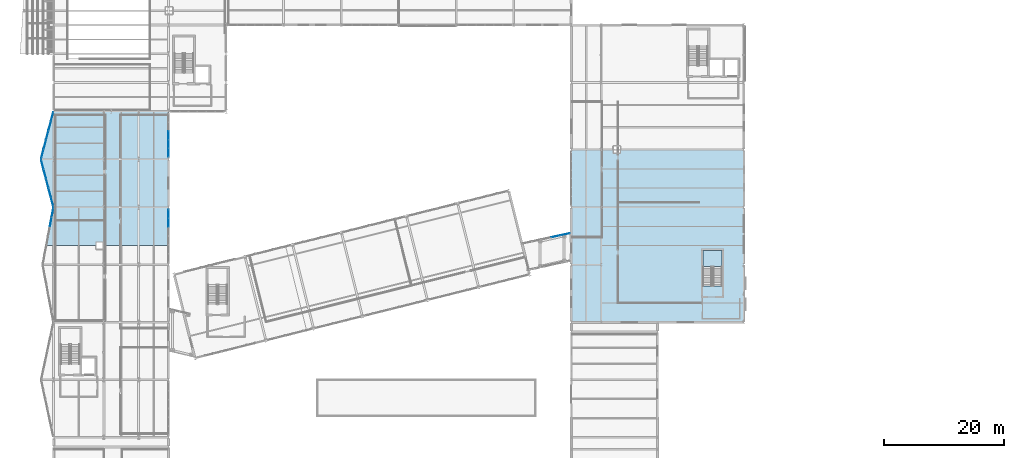
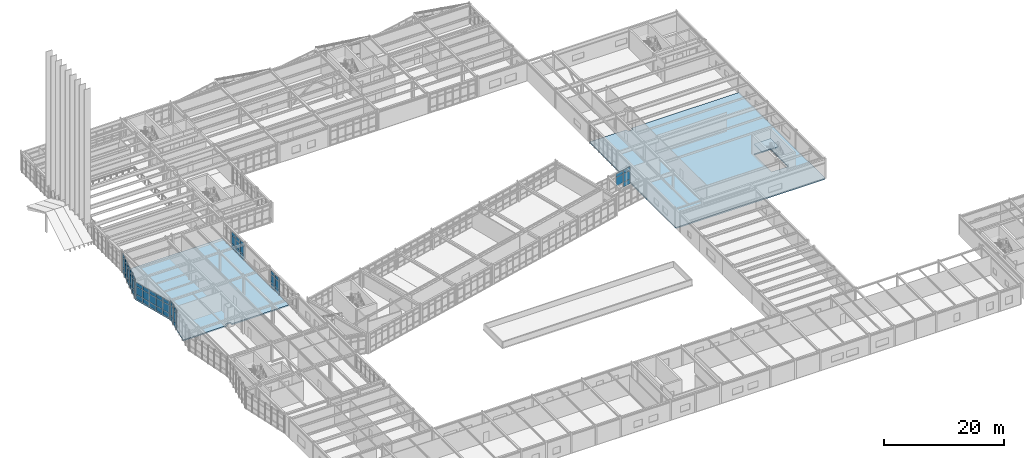
# One storey, part 64 of 99: 56 plates, 3 slabs, 7 elements without a shape of their own.
"""IFC4 building model written with IfcOpenShell, lengths in metres."""

from ifc_helpers import new_model, si_unit, direction, frame, origin, origin_2d, place, context, subcontext, project, spatial, polyline, rectangle, outline, extrude, material, layer, layer_set, type_object, element, aggregate, save


model = new_model("IFC4")

# Units and contexts
model_context = context("Model", 3, precision=1e-05, world=origin(), true_north=direction((0.0, 1.0)))
body_context = subcontext(model_context, "Body", "Model", "MODEL_VIEW")
ifc_project = project(units=[si_unit("LENGTHUNIT", "METRE"), si_unit("AREAUNIT", "SQUARE_METRE"), si_unit("VOLUMEUNIT", "CUBIC_METRE"), si_unit("PLANEANGLEUNIT", "RADIAN"), si_unit("MASSUNIT", "GRAM", prefix="KILO")], contexts=[model_context])

# Site, building, storey
site_placement = place(None, origin())
site = spatial("IfcSite", under=ifc_project, at=site_placement, CompositionType="ELEMENT")
building_placement = place(site_placement, origin())
building = spatial("IfcBuilding", under=site, at=building_placement, Name="Nordkorset Police Headquarters", CompositionType="ELEMENT")
storey_placement = place(building_placement, frame((0.0, 0.0, 5.25)))
storey = spatial("IfcBuildingStorey", under=building, at=storey_placement, Name="L01", CompositionType="ELEMENT", Elevation=5.25)

# Curtain wall, plates
ifc_material_1 = material(Name="Aluminium alloy AW-6060", Category="aluminium")
ifc_layer_1 = layer(ifc_material_1, 0.179931640625, Name="Aluminium alloy AW-6060")
ifc_layer_set_1 = layer_set([ifc_layer_1], Name="Aluminium alloy AW-6060")
curtain_wall_type_1 = type_object("IfcCurtainWallType", Name="CW_Unit_949x392", PredefinedType="USERDEFINED", material=ifc_layer_set_1)
curtain_wall_1_placement = place(storey_placement, origin())
curtain_wall_1 = element("IfcCurtainWall", 1, at=curtain_wall_1_placement, inside=storey, type_object=curtain_wall_type_1, Name="Unitised Curtain Wall L01 V3W-3", ObjectType="UNITISED CURTAIN WALL", PredefinedType="USERDEFINED")
ifc_material_2 = material(Name="Low-iron triple glazing", Category="glass")
ifc_layer_2 = layer(ifc_material_2, 0.035888671875, Name="Low-iron triple glazing")
ifc_layer_set_2 = layer_set([ifc_layer_2], Name="Low-iron triple glazing")
plate_type = type_object("IfcPlateType", Name="CW_Panel_TripleGlazing_36", PredefinedType="CURTAIN_PANEL", material=ifc_layer_set_2)
plate_1_placement = place(storey_placement, frame((-0.462890625, 64.731201171875, 0.06494140625), z_axis=(0.0, 0.0, 1.0), x_axis=(0.184288535048, 0.982872186935, 0.0)))
plate_1 = element("IfcPlate", 2, at=plate_1_placement, type_object=plate_type, Name="CW-49 panel 5.1", PredefinedType="CURTAIN_PANEL", context=body_context, shape_type="SweptSolid", body=[
    extrude(rectangle(XDim=1.51611328125, YDim=0.035888671875, at=origin_2d()), origin(), (0.0, 0.0, 1.0), 0.902587890625),
])
plate_2_placement = place(storey_placement, frame((-0.462890625, 64.731201171875, 1.032470703125), z_axis=(0.0, 0.0, 1.0), x_axis=(0.184288535048, 0.982872186935, 0.0)))
plate_2 = element("IfcPlate", 3, at=plate_2_placement, type_object=plate_type, Name="CW-49 panel 5.2", PredefinedType="CURTAIN_PANEL", context=body_context, shape_type="SweptSolid", body=[
    extrude(rectangle(XDim=1.51611328125, YDim=0.035888671875, at=origin_2d()), origin(), (0.0, 0.0, 1.0), 2.0048828125),
])
plate_3_placement = place(storey_placement, frame((-0.462890625, 64.731201171875, 3.1025390625), z_axis=(0.0, 0.0, 1.0), x_axis=(0.184288535048, 0.982872186935, 0.0)))
plate_3 = element("IfcPlate", 4, at=plate_3_placement, type_object=plate_type, Name="CW-49 panel 5.3", PredefinedType="CURTAIN_PANEL", context=body_context, shape_type="SweptSolid", body=[
    extrude(rectangle(XDim=1.51611328125, YDim=0.035888671875, at=origin_2d()), origin(), (0.0, 0.0, 1.0), 0.75244140625),
])
plate_4_placement = place(storey_placement, frame((-0.174560546875, 66.269287109375, 0.06494140625), z_axis=(0.0, 0.0, 1.0), x_axis=(0.184288535048, 0.982872186935, 0.0)))
plate_4 = element("IfcPlate", 5, at=plate_4_placement, type_object=plate_type, Name="CW-49 panel 6.1", PredefinedType="CURTAIN_PANEL", context=body_context, shape_type="SweptSolid", body=[
    extrude(rectangle(XDim=1.483642578125, YDim=0.035888671875, at=origin_2d()), origin(), (0.0, 0.0, 1.0), 0.902587890625),
])
plate_5_placement = place(storey_placement, frame((-0.174560546875, 66.269287109375, 1.032470703125), z_axis=(0.0, 0.0, 1.0), x_axis=(0.184288535048, 0.982872186935, 0.0)))
plate_5 = element("IfcPlate", 6, at=plate_5_placement, type_object=plate_type, Name="CW-49 panel 6.2", PredefinedType="CURTAIN_PANEL", context=body_context, shape_type="SweptSolid", body=[
    extrude(rectangle(XDim=1.483642578125, YDim=0.035888671875, at=origin_2d()), origin(), (0.0, 0.0, 1.0), 2.0048828125),
])
plate_6_placement = place(storey_placement, frame((-0.174560546875, 66.269287109375, 3.1025390625), z_axis=(0.0, 0.0, 1.0), x_axis=(0.184288535048, 0.982872186935, 0.0)))
plate_6 = element("IfcPlate", 7, at=plate_6_placement, type_object=plate_type, Name="CW-49 panel 6.3", PredefinedType="CURTAIN_PANEL", context=body_context, shape_type="SweptSolid", body=[
    extrude(rectangle(XDim=1.483642578125, YDim=0.035888671875, at=origin_2d()), origin(), (0.0, 0.0, 1.0), 0.75244140625),
])
aggregate(curtain_wall_1, [plate_1, plate_2, plate_3, plate_4, plate_5, plate_6])

ifc_material_3 = material(Name="Aluminium alloy AW-6060", Category="aluminium")
ifc_layer_3 = layer(ifc_material_3, 0.179931640625, Name="Aluminium alloy AW-6060")
ifc_layer_set_3 = layer_set([ifc_layer_3], Name="Aluminium alloy AW-6060")
curtain_wall_type_2 = type_object("IfcCurtainWallType", Name="CW_Unit_888x350", PredefinedType="USERDEFINED", material=ifc_layer_set_3)
curtain_wall_2_placement = place(storey_placement, origin())
curtain_wall_2 = element("IfcCurtainWall", 8, at=curtain_wall_2_placement, inside=storey, type_object=curtain_wall_type_2, Name="Unitised Curtain Wall L01 V3E-3", ObjectType="UNITISED CURTAIN WALL", PredefinedType="USERDEFINED")
plate_7_placement = place(storey_placement, frame((19.199951171875, 64.6201171875, 0.06494140625), z_axis=(0.0, 0.0, 1.0), x_axis=(0.0, 1.0, 0.0)))
plate_7 = element("IfcPlate", 9, at=plate_7_placement, type_object=plate_type, Name="CW-95 panel 5.1", PredefinedType="CURTAIN_PANEL", context=body_context, shape_type="SweptSolid", body=[
    extrude(rectangle(XDim=1.4150390625, YDim=0.035888671875, at=origin_2d()), origin(), (0.0, 0.0, 1.0), 0.902587890625),
])
plate_8_placement = place(storey_placement, frame((19.199951171875, 64.6201171875, 1.032470703125), z_axis=(0.0, 0.0, 1.0), x_axis=(0.0, 1.0, 0.0)))
plate_8 = element("IfcPlate", 10, at=plate_8_placement, type_object=plate_type, Name="CW-95 panel 5.2", PredefinedType="CURTAIN_PANEL", context=body_context, shape_type="SweptSolid", body=[
    extrude(rectangle(XDim=1.4150390625, YDim=0.035888671875, at=origin_2d()), origin(), (0.0, 0.0, 1.0), 1.5849609375),
])
plate_9_placement = place(storey_placement, frame((19.199951171875, 64.6201171875, 2.6826171875), z_axis=(0.0, 0.0, 1.0), x_axis=(0.0, 1.0, 0.0)))
plate_9 = element("IfcPlate", 11, at=plate_9_placement, type_object=plate_type, Name="CW-95 panel 5.3", PredefinedType="CURTAIN_PANEL", context=body_context, shape_type="SweptSolid", body=[
    extrude(rectangle(XDim=1.4150390625, YDim=0.035888671875, at=origin_2d()), origin(), (0.0, 0.0, 1.0), 0.75244140625),
])
plate_10_placement = place(storey_placement, frame((19.199951171875, 66.083740234375, 0.06494140625), z_axis=(0.0, 0.0, 1.0), x_axis=(0.0, 1.0, 0.0)))
plate_10 = element("IfcPlate", 12, at=plate_10_placement, type_object=plate_type, Name="CW-95 panel 6.1", PredefinedType="CURTAIN_PANEL", context=body_context, shape_type="SweptSolid", body=[
    extrude(rectangle(XDim=1.382568359375, YDim=0.035888671875, at=origin_2d()), origin(), (0.0, 0.0, 1.0), 0.902587890625),
])
plate_11_placement = place(storey_placement, frame((19.199951171875, 66.083740234375, 1.032470703125), z_axis=(0.0, 0.0, 1.0), x_axis=(0.0, 1.0, 0.0)))
plate_11 = element("IfcPlate", 13, at=plate_11_placement, type_object=plate_type, Name="CW-95 panel 6.2", PredefinedType="CURTAIN_PANEL", context=body_context, shape_type="SweptSolid", body=[
    extrude(rectangle(XDim=1.382568359375, YDim=0.035888671875, at=origin_2d()), origin(), (0.0, 0.0, 1.0), 1.5849609375),
])
plate_12_placement = place(storey_placement, frame((19.199951171875, 66.083740234375, 2.6826171875), z_axis=(0.0, 0.0, 1.0), x_axis=(0.0, 1.0, 0.0)))
plate_12 = element("IfcPlate", 14, at=plate_12_placement, type_object=plate_type, Name="CW-95 panel 6.3", PredefinedType="CURTAIN_PANEL", context=body_context, shape_type="SweptSolid", body=[
    extrude(rectangle(XDim=1.382568359375, YDim=0.035888671875, at=origin_2d()), origin(), (0.0, 0.0, 1.0), 0.75244140625),
])
aggregate(curtain_wall_2, [plate_7, plate_8, plate_9, plate_10, plate_11, plate_12])

ifc_material_4 = material(Name="Aluminium alloy AW-6060", Category="aluminium")
ifc_layer_4 = layer(ifc_material_4, 0.179931640625, Name="Aluminium alloy AW-6060")
ifc_layer_set_4 = layer_set([ifc_layer_4], Name="Aluminium alloy AW-6060")
curtain_wall_type_3 = type_object("IfcCurtainWallType", Name="CW_Unit_799x350", PredefinedType="USERDEFINED", material=ifc_layer_set_4)
curtain_wall_3_placement = place(storey_placement, origin())
curtain_wall_3 = element("IfcCurtainWall", 15, at=curtain_wall_3_placement, inside=storey, type_object=curtain_wall_type_3, Name="Unitised Curtain Wall L01 V3W-4", ObjectType="UNITISED CURTAIN WALL", PredefinedType="USERDEFINED")
plate_13_placement = place(storey_placement, frame((-0.24267578125, 68.1240234375, 0.06494140625), z_axis=(0.0, 0.0, 1.0), x_axis=(-0.25389698695, 0.967231265013, 0.0)))
plate_13 = element("IfcPlate", 16, at=plate_13_placement, type_object=plate_type, Name="CW-107 panel 1.1", PredefinedType="CURTAIN_PANEL", context=body_context, shape_type="SweptSolid", body=[
    extrude(rectangle(XDim=1.500732421875, YDim=0.035888671875, at=origin_2d()), origin(), (0.0, 0.0, 1.0), 0.902587890625),
])
plate_14_placement = place(storey_placement, frame((-0.24267578125, 68.1240234375, 1.032470703125), z_axis=(0.0, 0.0, 1.0), x_axis=(-0.25389698695, 0.967231265013, 0.0)))
plate_14 = element("IfcPlate", 17, at=plate_14_placement, type_object=plate_type, Name="CW-107 panel 1.2", PredefinedType="CURTAIN_PANEL", context=body_context, shape_type="SweptSolid", body=[
    extrude(rectangle(XDim=1.500732421875, YDim=0.035888671875, at=origin_2d()), origin(), (0.0, 0.0, 1.0), 1.5849609375),
])
plate_15_placement = place(storey_placement, frame((-0.24267578125, 68.1240234375, 2.6826171875), z_axis=(0.0, 0.0, 1.0), x_axis=(-0.25389698695, 0.967231265013, 0.0)))
plate_15 = element("IfcPlate", 18, at=plate_15_placement, type_object=plate_type, Name="CW-107 panel 1.3", PredefinedType="CURTAIN_PANEL", context=body_context, shape_type="SweptSolid", body=[
    extrude(rectangle(XDim=1.500732421875, YDim=0.035888671875, at=origin_2d()), origin(), (0.0, 0.0, 1.0), 0.75244140625),
])
plate_16_placement = place(storey_placement, frame((-0.644287109375, 69.654052734375, 0.06494140625), z_axis=(0.0, 0.0, 1.0), x_axis=(-0.25389698695, 0.967231265013, 0.0)))
plate_16 = element("IfcPlate", 19, at=plate_16_placement, type_object=plate_type, Name="CW-107 panel 2.1", PredefinedType="CURTAIN_PANEL", context=body_context, shape_type="SweptSolid", body=[
    extrude(rectangle(XDim=1.533203125, YDim=0.035888671875, at=origin_2d()), origin(), (0.0, 0.0, 1.0), 0.902587890625),
])
plate_17_placement = place(storey_placement, frame((-0.644287109375, 69.654052734375, 1.032470703125), z_axis=(0.0, 0.0, 1.0), x_axis=(-0.25389698695, 0.967231265013, 0.0)))
plate_17 = element("IfcPlate", 20, at=plate_17_placement, type_object=plate_type, Name="CW-107 panel 2.2", PredefinedType="CURTAIN_PANEL", context=body_context, shape_type="SweptSolid", body=[
    extrude(rectangle(XDim=1.533203125, YDim=0.035888671875, at=origin_2d()), origin(), (0.0, 0.0, 1.0), 1.5849609375),
])
plate_18_placement = place(storey_placement, frame((-0.644287109375, 69.654052734375, 2.6826171875), z_axis=(0.0, 0.0, 1.0), x_axis=(-0.25389698695, 0.967231265013, 0.0)))
plate_18 = element("IfcPlate", 21, at=plate_18_placement, type_object=plate_type, Name="CW-107 panel 2.3", PredefinedType="CURTAIN_PANEL", context=body_context, shape_type="SweptSolid", body=[
    extrude(rectangle(XDim=1.533203125, YDim=0.035888671875, at=origin_2d()), origin(), (0.0, 0.0, 1.0), 0.75244140625),
])
plate_19_placement = place(storey_placement, frame((-1.050048828125, 71.199951171875, 0.06494140625), z_axis=(0.0, 0.0, 1.0), x_axis=(-0.25389698695, 0.967231265013, 0.0)))
plate_19 = element("IfcPlate", 22, at=plate_19_placement, type_object=plate_type, Name="CW-107 panel 3.1", PredefinedType="CURTAIN_PANEL", context=body_context, shape_type="SweptSolid", body=[
    extrude(rectangle(XDim=1.533203125, YDim=0.035888671875, at=origin_2d()), origin(), (0.0, 0.0, 1.0), 0.902587890625),
])
plate_20_placement = place(storey_placement, frame((-1.050048828125, 71.199951171875, 1.032470703125), z_axis=(0.0, 0.0, 1.0), x_axis=(-0.25389698695, 0.967231265013, 0.0)))
plate_20 = element("IfcPlate", 23, at=plate_20_placement, type_object=plate_type, Name="CW-107 panel 3.2", PredefinedType="CURTAIN_PANEL", context=body_context, shape_type="SweptSolid", body=[
    extrude(rectangle(XDim=1.533203125, YDim=0.035888671875, at=origin_2d()), origin(), (0.0, 0.0, 1.0), 1.5849609375),
])
plate_21_placement = place(storey_placement, frame((-1.050048828125, 71.199951171875, 2.6826171875), z_axis=(0.0, 0.0, 1.0), x_axis=(-0.25389698695, 0.967231265013, 0.0)))
plate_21 = element("IfcPlate", 24, at=plate_21_placement, type_object=plate_type, Name="CW-107 panel 3.3", PredefinedType="CURTAIN_PANEL", context=body_context, shape_type="SweptSolid", body=[
    extrude(rectangle(XDim=1.533203125, YDim=0.035888671875, at=origin_2d()), origin(), (0.0, 0.0, 1.0), 0.75244140625),
])
plate_22_placement = place(storey_placement, frame((-1.455810546875, 72.745849609375, 0.06494140625), z_axis=(0.0, 0.0, 1.0), x_axis=(-0.25389698695, 0.967231265013, 0.0)))
plate_22 = element("IfcPlate", 25, at=plate_22_placement, type_object=plate_type, Name="CW-107 panel 4.1", PredefinedType="CURTAIN_PANEL", context=body_context, shape_type="SweptSolid", body=[
    extrude(rectangle(XDim=1.533203125, YDim=0.035888671875, at=origin_2d()), origin(), (0.0, 0.0, 1.0), 0.902587890625),
])
plate_23_placement = place(storey_placement, frame((-1.455810546875, 72.745849609375, 1.032470703125), z_axis=(0.0, 0.0, 1.0), x_axis=(-0.25389698695, 0.967231265013, 0.0)))
plate_23 = element("IfcPlate", 26, at=plate_23_placement, type_object=plate_type, Name="CW-107 panel 4.2", PredefinedType="CURTAIN_PANEL", context=body_context, shape_type="SweptSolid", body=[
    extrude(rectangle(XDim=1.533203125, YDim=0.035888671875, at=origin_2d()), origin(), (0.0, 0.0, 1.0), 1.5849609375),
])
plate_24_placement = place(storey_placement, frame((-1.455810546875, 72.745849609375, 2.6826171875), z_axis=(0.0, 0.0, 1.0), x_axis=(-0.25389698695, 0.967231265013, 0.0)))
plate_24 = element("IfcPlate", 27, at=plate_24_placement, type_object=plate_type, Name="CW-107 panel 4.3", PredefinedType="CURTAIN_PANEL", context=body_context, shape_type="SweptSolid", body=[
    extrude(rectangle(XDim=1.533203125, YDim=0.035888671875, at=origin_2d()), origin(), (0.0, 0.0, 1.0), 0.75244140625),
])
plate_25_placement = place(storey_placement, frame((-1.857421875, 74.27587890625, 0.06494140625), z_axis=(0.0, 0.0, 1.0), x_axis=(-0.25389698695, 0.967231265013, 0.0)))
plate_25 = element("IfcPlate", 28, at=plate_25_placement, type_object=plate_type, Name="CW-107 panel 5.1", PredefinedType="CURTAIN_PANEL", context=body_context, shape_type="SweptSolid", body=[
    extrude(rectangle(XDim=1.500732421875, YDim=0.035888671875, at=origin_2d()), origin(), (0.0, 0.0, 1.0), 0.902587890625),
])
plate_26_placement = place(storey_placement, frame((-1.857421875, 74.27587890625, 1.032470703125), z_axis=(0.0, 0.0, 1.0), x_axis=(-0.25389698695, 0.967231265013, 0.0)))
plate_26 = element("IfcPlate", 29, at=plate_26_placement, type_object=plate_type, Name="CW-107 panel 5.2", PredefinedType="CURTAIN_PANEL", context=body_context, shape_type="SweptSolid", body=[
    extrude(rectangle(XDim=1.500732421875, YDim=0.035888671875, at=origin_2d()), origin(), (0.0, 0.0, 1.0), 1.5849609375),
])
plate_27_placement = place(storey_placement, frame((-1.857421875, 74.27587890625, 2.6826171875), z_axis=(0.0, 0.0, 1.0), x_axis=(-0.25389698695, 0.967231265013, 0.0)))
plate_27 = element("IfcPlate", 30, at=plate_27_placement, type_object=plate_type, Name="CW-107 panel 5.3", PredefinedType="CURTAIN_PANEL", context=body_context, shape_type="SweptSolid", body=[
    extrude(rectangle(XDim=1.500732421875, YDim=0.035888671875, at=origin_2d()), origin(), (0.0, 0.0, 1.0), 0.75244140625),
])
aggregate(curtain_wall_3, [plate_13, plate_14, plate_15, plate_16, plate_17, plate_18, plate_19, plate_20, plate_21, plate_22, plate_23, plate_24, plate_25, plate_26, plate_27])

ifc_material_5 = material(Name="Aluminium alloy AW-6060", Category="aluminium")
ifc_layer_5 = layer(ifc_material_5, 0.179931640625, Name="Aluminium alloy AW-6060")
ifc_layer_set_5 = layer_set([ifc_layer_5], Name="Aluminium alloy AW-6060")
curtain_wall_type_4 = type_object("IfcCurtainWallType", Name="CW_Unit_799x392", PredefinedType="USERDEFINED", material=ifc_layer_set_5)
curtain_wall_4_placement = place(storey_placement, origin())
curtain_wall_4 = element("IfcCurtainWall", 31, at=curtain_wall_4_placement, inside=storey, type_object=curtain_wall_type_4, Name="Unitised Curtain Wall L01 V3W-5", ObjectType="UNITISED CURTAIN WALL", PredefinedType="USERDEFINED")
plate_28_placement = place(storey_placement, frame((-1.857421875, 76.1240234375, 0.06494140625), z_axis=(0.0, 0.0, 1.0), x_axis=(0.25389698695, 0.967231265013, 0.0)))
plate_28 = element("IfcPlate", 32, at=plate_28_placement, type_object=plate_type, Name="CW-68 panel 1.1", PredefinedType="CURTAIN_PANEL", context=body_context, shape_type="SweptSolid", body=[
    extrude(rectangle(XDim=1.500732421875, YDim=0.035888671875, at=origin_2d()), origin(), (0.0, 0.0, 1.0), 0.902587890625),
])
plate_29_placement = place(storey_placement, frame((-1.857421875, 76.1240234375, 1.032470703125), z_axis=(0.0, 0.0, 1.0), x_axis=(0.25389698695, 0.967231265013, 0.0)))
plate_29 = element("IfcPlate", 33, at=plate_29_placement, type_object=plate_type, Name="CW-68 panel 1.2", PredefinedType="CURTAIN_PANEL", context=body_context, shape_type="SweptSolid", body=[
    extrude(rectangle(XDim=1.500732421875, YDim=0.035888671875, at=origin_2d()), origin(), (0.0, 0.0, 1.0), 2.0048828125),
])
plate_30_placement = place(storey_placement, frame((-1.857421875, 76.1240234375, 3.1025390625), z_axis=(0.0, 0.0, 1.0), x_axis=(0.25389698695, 0.967231265013, 0.0)))
plate_30 = element("IfcPlate", 34, at=plate_30_placement, type_object=plate_type, Name="CW-68 panel 1.3", PredefinedType="CURTAIN_PANEL", context=body_context, shape_type="SweptSolid", body=[
    extrude(rectangle(XDim=1.500732421875, YDim=0.035888671875, at=origin_2d()), origin(), (0.0, 0.0, 1.0), 0.75244140625),
])
plate_31_placement = place(storey_placement, frame((-1.455810546875, 77.654052734375, 0.06494140625), z_axis=(0.0, 0.0, 1.0), x_axis=(0.25389698695, 0.967231265013, 0.0)))
plate_31 = element("IfcPlate", 35, at=plate_31_placement, type_object=plate_type, Name="CW-68 panel 2.1", PredefinedType="CURTAIN_PANEL", context=body_context, shape_type="SweptSolid", body=[
    extrude(rectangle(XDim=1.533203125, YDim=0.035888671875, at=origin_2d()), origin(), (0.0, 0.0, 1.0), 0.902587890625),
])
plate_32_placement = place(storey_placement, frame((-1.455810546875, 77.654052734375, 1.032470703125), z_axis=(0.0, 0.0, 1.0), x_axis=(0.25389698695, 0.967231265013, 0.0)))
plate_32 = element("IfcPlate", 36, at=plate_32_placement, type_object=plate_type, Name="CW-68 panel 2.2", PredefinedType="CURTAIN_PANEL", context=body_context, shape_type="SweptSolid", body=[
    extrude(rectangle(XDim=1.533203125, YDim=0.035888671875, at=origin_2d()), origin(), (0.0, 0.0, 1.0), 2.0048828125),
])
plate_33_placement = place(storey_placement, frame((-1.455810546875, 77.654052734375, 3.1025390625), z_axis=(0.0, 0.0, 1.0), x_axis=(0.25389698695, 0.967231265013, 0.0)))
plate_33 = element("IfcPlate", 37, at=plate_33_placement, type_object=plate_type, Name="CW-68 panel 2.3", PredefinedType="CURTAIN_PANEL", context=body_context, shape_type="SweptSolid", body=[
    extrude(rectangle(XDim=1.533203125, YDim=0.035888671875, at=origin_2d()), origin(), (0.0, 0.0, 1.0), 0.75244140625),
])
plate_34_placement = place(storey_placement, frame((-1.050048828125, 79.199951171875, 0.06494140625), z_axis=(0.0, 0.0, 1.0), x_axis=(0.25389698695, 0.967231265013, 0.0)))
plate_34 = element("IfcPlate", 38, at=plate_34_placement, type_object=plate_type, Name="CW-68 panel 3.1", PredefinedType="CURTAIN_PANEL", context=body_context, shape_type="SweptSolid", body=[
    extrude(rectangle(XDim=1.533203125, YDim=0.035888671875, at=origin_2d()), origin(), (0.0, 0.0, 1.0), 0.902587890625),
])
plate_35_placement = place(storey_placement, frame((-1.050048828125, 79.199951171875, 1.032470703125), z_axis=(0.0, 0.0, 1.0), x_axis=(0.25389698695, 0.967231265013, 0.0)))
plate_35 = element("IfcPlate", 39, at=plate_35_placement, type_object=plate_type, Name="CW-68 panel 3.2", PredefinedType="CURTAIN_PANEL", context=body_context, shape_type="SweptSolid", body=[
    extrude(rectangle(XDim=1.533203125, YDim=0.035888671875, at=origin_2d()), origin(), (0.0, 0.0, 1.0), 2.0048828125),
])
plate_36_placement = place(storey_placement, frame((-1.050048828125, 79.199951171875, 3.1025390625), z_axis=(0.0, 0.0, 1.0), x_axis=(0.25389698695, 0.967231265013, 0.0)))
plate_36 = element("IfcPlate", 40, at=plate_36_placement, type_object=plate_type, Name="CW-68 panel 3.3", PredefinedType="CURTAIN_PANEL", context=body_context, shape_type="SweptSolid", body=[
    extrude(rectangle(XDim=1.533203125, YDim=0.035888671875, at=origin_2d()), origin(), (0.0, 0.0, 1.0), 0.75244140625),
])
plate_37_placement = place(storey_placement, frame((-0.644287109375, 80.745849609375, 0.06494140625), z_axis=(0.0, 0.0, 1.0), x_axis=(0.25389698695, 0.967231265013, 0.0)))
plate_37 = element("IfcPlate", 41, at=plate_37_placement, type_object=plate_type, Name="CW-68 panel 4.1", PredefinedType="CURTAIN_PANEL", context=body_context, shape_type="SweptSolid", body=[
    extrude(rectangle(XDim=1.533203125, YDim=0.035888671875, at=origin_2d()), origin(), (0.0, 0.0, 1.0), 0.902587890625),
])
plate_38_placement = place(storey_placement, frame((-0.644287109375, 80.745849609375, 1.032470703125), z_axis=(0.0, 0.0, 1.0), x_axis=(0.25389698695, 0.967231265013, 0.0)))
plate_38 = element("IfcPlate", 42, at=plate_38_placement, type_object=plate_type, Name="CW-68 panel 4.2", PredefinedType="CURTAIN_PANEL", context=body_context, shape_type="SweptSolid", body=[
    extrude(rectangle(XDim=1.533203125, YDim=0.035888671875, at=origin_2d()), origin(), (0.0, 0.0, 1.0), 2.0048828125),
])
plate_39_placement = place(storey_placement, frame((-0.644287109375, 80.745849609375, 3.1025390625), z_axis=(0.0, 0.0, 1.0), x_axis=(0.25389698695, 0.967231265013, 0.0)))
plate_39 = element("IfcPlate", 43, at=plate_39_placement, type_object=plate_type, Name="CW-68 panel 4.3", PredefinedType="CURTAIN_PANEL", context=body_context, shape_type="SweptSolid", body=[
    extrude(rectangle(XDim=1.533203125, YDim=0.035888671875, at=origin_2d()), origin(), (0.0, 0.0, 1.0), 0.75244140625),
])
plate_40_placement = place(storey_placement, frame((-0.24267578125, 82.27587890625, 0.06494140625), z_axis=(0.0, 0.0, 1.0), x_axis=(0.25389698695, 0.967231265013, 0.0)))
plate_40 = element("IfcPlate", 44, at=plate_40_placement, type_object=plate_type, Name="CW-68 panel 5.1", PredefinedType="CURTAIN_PANEL", context=body_context, shape_type="SweptSolid", body=[
    extrude(rectangle(XDim=1.500732421875, YDim=0.035888671875, at=origin_2d()), origin(), (0.0, 0.0, 1.0), 0.902587890625),
])
plate_41_placement = place(storey_placement, frame((-0.24267578125, 82.27587890625, 1.032470703125), z_axis=(0.0, 0.0, 1.0), x_axis=(0.25389698695, 0.967231265013, 0.0)))
plate_41 = element("IfcPlate", 45, at=plate_41_placement, type_object=plate_type, Name="CW-68 panel 5.2", PredefinedType="CURTAIN_PANEL", context=body_context, shape_type="SweptSolid", body=[
    extrude(rectangle(XDim=1.500732421875, YDim=0.035888671875, at=origin_2d()), origin(), (0.0, 0.0, 1.0), 2.0048828125),
])
plate_42_placement = place(storey_placement, frame((-0.24267578125, 82.27587890625, 3.1025390625), z_axis=(0.0, 0.0, 1.0), x_axis=(0.25389698695, 0.967231265013, 0.0)))
plate_42 = element("IfcPlate", 46, at=plate_42_placement, type_object=plate_type, Name="CW-68 panel 5.3", PredefinedType="CURTAIN_PANEL", context=body_context, shape_type="SweptSolid", body=[
    extrude(rectangle(XDim=1.500732421875, YDim=0.035888671875, at=origin_2d()), origin(), (0.0, 0.0, 1.0), 0.75244140625),
])
aggregate(curtain_wall_4, [plate_28, plate_29, plate_30, plate_31, plate_32, plate_33, plate_34, plate_35, plate_36, plate_37, plate_38, plate_39, plate_40, plate_41, plate_42])

ifc_material_6 = material(Name="Aluminium alloy AW-6060", Category="aluminium")
ifc_layer_6 = layer(ifc_material_6, 0.179931640625, Name="Aluminium alloy AW-6060")
ifc_layer_set_6 = layer_set([ifc_layer_6], Name="Aluminium alloy AW-6060")
curtain_wall_type_5 = type_object("IfcCurtainWallType", Name="CW_Unit_728x350", PredefinedType="USERDEFINED", material=ifc_layer_set_6)
curtain_wall_5_placement = place(storey_placement, origin())
curtain_wall_5 = element("IfcCurtainWall", 47, at=curtain_wall_5_placement, inside=storey, type_object=curtain_wall_type_5, Name="Unitised Curtain Wall L01 V3E-5", ObjectType="UNITISED CURTAIN WALL", PredefinedType="USERDEFINED")
plate_43_placement = place(storey_placement, frame((19.199951171875, 76.30419921875, 0.06494140625), z_axis=(0.0, 0.0, 1.0), x_axis=(0.0, 1.0, 0.0)))
plate_43 = element("IfcPlate", 48, at=plate_43_placement, type_object=plate_type, Name="CW-70 panel 1.1", PredefinedType="CURTAIN_PANEL", context=body_context, shape_type="SweptSolid", body=[
    extrude(rectangle(XDim=1.3583984375, YDim=0.035888671875, at=origin_2d()), origin(), (0.0, 0.0, 1.0), 0.902587890625),
])
plate_44_placement = place(storey_placement, frame((19.199951171875, 76.30419921875, 1.032470703125), z_axis=(0.0, 0.0, 1.0), x_axis=(0.0, 1.0, 0.0)))
plate_44 = element("IfcPlate", 49, at=plate_44_placement, type_object=plate_type, Name="CW-70 panel 1.2", PredefinedType="CURTAIN_PANEL", context=body_context, shape_type="SweptSolid", body=[
    extrude(rectangle(XDim=1.3583984375, YDim=0.035888671875, at=origin_2d()), origin(), (0.0, 0.0, 1.0), 1.5849609375),
])
plate_45_placement = place(storey_placement, frame((19.199951171875, 76.30419921875, 2.6826171875), z_axis=(0.0, 0.0, 1.0), x_axis=(0.0, 1.0, 0.0)))
plate_45 = element("IfcPlate", 50, at=plate_45_placement, type_object=plate_type, Name="CW-70 panel 1.3", PredefinedType="CURTAIN_PANEL", context=body_context, shape_type="SweptSolid", body=[
    extrude(rectangle(XDim=1.3583984375, YDim=0.035888671875, at=origin_2d()), origin(), (0.0, 0.0, 1.0), 0.75244140625),
])
plate_46_placement = place(storey_placement, frame((19.199951171875, 77.743896484375, 0.06494140625), z_axis=(0.0, 0.0, 1.0), x_axis=(0.0, 1.0, 0.0)))
plate_46 = element("IfcPlate", 51, at=plate_46_placement, type_object=plate_type, Name="CW-70 panel 2.1", PredefinedType="CURTAIN_PANEL", context=body_context, shape_type="SweptSolid", body=[
    extrude(rectangle(XDim=1.39111328125, YDim=0.035888671875, at=origin_2d()), origin(), (0.0, 0.0, 1.0), 0.902587890625),
])
plate_47_placement = place(storey_placement, frame((19.199951171875, 77.743896484375, 1.032470703125), z_axis=(0.0, 0.0, 1.0), x_axis=(0.0, 1.0, 0.0)))
plate_47 = element("IfcPlate", 52, at=plate_47_placement, type_object=plate_type, Name="CW-70 panel 2.2", PredefinedType="CURTAIN_PANEL", context=body_context, shape_type="SweptSolid", body=[
    extrude(rectangle(XDim=1.39111328125, YDim=0.035888671875, at=origin_2d()), origin(), (0.0, 0.0, 1.0), 1.5849609375),
])
plate_48_placement = place(storey_placement, frame((19.199951171875, 77.743896484375, 2.6826171875), z_axis=(0.0, 0.0, 1.0), x_axis=(0.0, 1.0, 0.0)))
plate_48 = element("IfcPlate", 53, at=plate_48_placement, type_object=plate_type, Name="CW-70 panel 2.3", PredefinedType="CURTAIN_PANEL", context=body_context, shape_type="SweptSolid", body=[
    extrude(rectangle(XDim=1.39111328125, YDim=0.035888671875, at=origin_2d()), origin(), (0.0, 0.0, 1.0), 0.75244140625),
])
plate_49_placement = place(storey_placement, frame((19.199951171875, 79.199951171875, 0.06494140625), z_axis=(0.0, 0.0, 1.0), x_axis=(0.0, 1.0, 0.0)))
plate_49 = element("IfcPlate", 54, at=plate_49_placement, type_object=plate_type, Name="CW-70 panel 3.1", PredefinedType="CURTAIN_PANEL", context=body_context, shape_type="SweptSolid", body=[
    extrude(rectangle(XDim=1.39111328125, YDim=0.035888671875, at=origin_2d()), origin(), (0.0, 0.0, 1.0), 0.902587890625),
])
plate_50_placement = place(storey_placement, frame((19.199951171875, 79.199951171875, 1.032470703125), z_axis=(0.0, 0.0, 1.0), x_axis=(0.0, 1.0, 0.0)))
plate_50 = element("IfcPlate", 55, at=plate_50_placement, type_object=plate_type, Name="CW-70 panel 3.2", PredefinedType="CURTAIN_PANEL", context=body_context, shape_type="SweptSolid", body=[
    extrude(rectangle(XDim=1.39111328125, YDim=0.035888671875, at=origin_2d()), origin(), (0.0, 0.0, 1.0), 1.5849609375),
])
plate_51_placement = place(storey_placement, frame((19.199951171875, 79.199951171875, 2.6826171875), z_axis=(0.0, 0.0, 1.0), x_axis=(0.0, 1.0, 0.0)))
plate_51 = element("IfcPlate", 56, at=plate_51_placement, type_object=plate_type, Name="CW-70 panel 3.3", PredefinedType="CURTAIN_PANEL", context=body_context, shape_type="SweptSolid", body=[
    extrude(rectangle(XDim=1.39111328125, YDim=0.035888671875, at=origin_2d()), origin(), (0.0, 0.0, 1.0), 0.75244140625),
])
aggregate(curtain_wall_5, [plate_43, plate_44, plate_45, plate_46, plate_47, plate_48, plate_49, plate_50, plate_51])

ifc_material_7 = material(Name="Aluminium alloy AW-6060", Category="aluminium")
ifc_layer_7 = layer(ifc_material_7, 0.179931640625, Name="Aluminium alloy AW-6060")
ifc_layer_set_7 = layer_set([ifc_layer_7], Name="Aluminium alloy AW-6060")
curtain_wall_type_6 = type_object("IfcCurtainWallType", Name="CW_Unit_809x364", PredefinedType="USERDEFINED", material=ifc_layer_set_7)
curtain_wall_6_placement = place(storey_placement, origin())
curtain_wall_6 = element("IfcCurtainWall", 57, at=curtain_wall_6_placement, inside=storey, type_object=curtain_wall_type_6, Name="Unitised Curtain Wall L01 BRGE-N", ObjectType="UNITISED CURTAIN WALL", PredefinedType="USERDEFINED")
plate_52_placement = place(storey_placement, frame((83.8046875, 62.33154296875, 1.03271484375), z_axis=(0.0, 0.0, 1.0), x_axis=(0.976768327939, 0.214298001706, 0.0)))
plate_52 = element("IfcPlate", 58, at=plate_52_placement, type_object=plate_type, Name="CW-40 panel 4.2", PredefinedType="CURTAIN_PANEL", context=body_context, shape_type="SweptSolid", body=[
    extrude(rectangle(XDim=1.55224609375, YDim=0.035888671875, at=origin_2d()), origin(), (0.0, 0.0, 1.0), 1.719970703125),
])
plate_53_placement = place(storey_placement, frame((83.8046875, 62.33154296875, 2.817626953125), z_axis=(0.0, 0.0, 1.0), x_axis=(0.976768327939, 0.214298001706, 0.0)))
plate_53 = element("IfcPlate", 59, at=plate_53_placement, type_object=plate_type, Name="CW-40 panel 4.3", PredefinedType="CURTAIN_PANEL", context=body_context, shape_type="SweptSolid", body=[
    extrude(rectangle(XDim=1.55224609375, YDim=0.035888671875, at=origin_2d()), origin(), (0.0, 0.0, 1.0), 0.75244140625),
])
plate_54_placement = place(storey_placement, frame((85.368408203125, 62.674560546875, 0.06494140625), z_axis=(0.0, 0.0, 1.0), x_axis=(0.976768327939, 0.214298001706, 0.0)))
plate_54 = element("IfcPlate", 60, at=plate_54_placement, type_object=plate_type, Name="CW-40 panel 5.1", PredefinedType="CURTAIN_PANEL", context=body_context, shape_type="SweptSolid", body=[
    extrude(rectangle(XDim=1.519775390625, YDim=0.035888671875, at=origin_2d()), origin(), (0.0, 0.0, 1.0), 0.902587890625),
])
plate_55_placement = place(storey_placement, frame((85.368408203125, 62.674560546875, 1.03271484375), z_axis=(0.0, 0.0, 1.0), x_axis=(0.976768327939, 0.214298001706, 0.0)))
plate_55 = element("IfcPlate", 61, at=plate_55_placement, type_object=plate_type, Name="CW-40 panel 5.2", PredefinedType="CURTAIN_PANEL", context=body_context, shape_type="SweptSolid", body=[
    extrude(rectangle(XDim=1.519775390625, YDim=0.035888671875, at=origin_2d()), origin(), (0.0, 0.0, 1.0), 1.719970703125),
])
plate_56_placement = place(storey_placement, frame((85.368408203125, 62.674560546875, 2.817626953125), z_axis=(0.0, 0.0, 1.0), x_axis=(0.976768327939, 0.214298001706, 0.0)))
plate_56 = element("IfcPlate", 62, at=plate_56_placement, type_object=plate_type, Name="CW-40 panel 5.3", PredefinedType="CURTAIN_PANEL", context=body_context, shape_type="SweptSolid", body=[
    extrude(rectangle(XDim=1.519775390625, YDim=0.035888671875, at=origin_2d()), origin(), (0.0, 0.0, 1.0), 0.75244140625),
])
aggregate(curtain_wall_6, [plate_52, plate_53, plate_54, plate_55, plate_56])

# Slabs
ifc_material_8 = material(Name="Concrete C35/45", Category="concrete")
ifc_layer_8 = layer(ifc_material_8, 0.25, Name="Concrete C35/45")
ifc_layer_set_8 = layer_set([ifc_layer_8], Name="Concrete C35/45")
slab_type_1 = type_object("IfcSlabType", Name="Slab_Hall_250", PredefinedType="FLOOR", material=ifc_layer_set_8)
slab_1_placement = place(storey_placement, frame((0.0, 0.0, -0.25)))
element("IfcSlab", 63, at=slab_1_placement, inside=storey, type_object=slab_type_1, Name="Composite Floor Slab V3 North L01", PredefinedType="FLOOR", context=body_context, shape_type="SweptSolid", body=[
    extrude(outline(polyline([(-1.199951171875, 60.802001953125), (7.199951171875, 60.802001953125), (7.199951171875, 61.300048828125), (8.199951171875, 61.300048828125), (8.199951171875, 60.802001953125), (19.199951171875, 60.802001953125), (19.199951171875, 83.197998046875), (0.0, 83.197998046875), (-2.10009765625, 75.199951171875), (0.0, 67.199951171875), (-1.199951171875, 60.802001953125)])), origin(), (0.0, 0.0, 1.0), 0.25),
])
slab_2_placement = place(storey_placement, frame((0.0, 0.0, -0.25)))
element("IfcSlab", 64, at=slab_2_placement, inside=storey, type_object=slab_type_1, Name="Composite Floor Slab V5 South L01", PredefinedType="FLOOR", context=body_context, shape_type="SweptSolid", body=[
    extrude(outline(polyline([(86.405029296875, 76.800048828125), (93.5, 76.800048828125), (93.5, 76.300048828125), (94.5, 76.300048828125), (94.5, 76.800048828125), (115.199951171875, 76.800048828125), (115.199951171875, 48.0), (86.405029296875, 48.0), (86.405029296875, 76.800048828125)]), holes=[polyline([(111.574951171875, 59.97509765625), (108.375, 59.97509765625), (108.375, 54.028076171875), (111.574951171875, 54.028076171875), (111.574951171875, 59.97509765625)])]), origin(), (0.0, 0.0, 1.0), 0.25),
])

# Stair, slab
ifc_material_9 = material(Name="Concrete C35/45", Category="concrete")
stair_type = type_object("IfcStairType", Name="ST-42", PredefinedType="HALF_TURN_STAIR", material=ifc_material_9)
stair_placement = place(storey_placement, origin())
stair = element("IfcStair", 65, at=stair_placement, inside=storey, type_object=stair_type, Name="L01 Protected Escape Stair ST-09", PredefinedType="HALF_TURN_STAIR")
ifc_material_10 = material(Name="Concrete C35/45", Category="concrete")
ifc_layer_9 = layer(ifc_material_10, 0.199951171875, Name="Concrete C35/45")
ifc_layer_set_9 = layer_set([ifc_layer_9], Name="Concrete C35/45")
slab_type_2 = type_object("IfcSlabType", Name="Slab_StairLanding_200", PredefinedType="LANDING", material=ifc_layer_set_9)
slab_3_placement = place(storey_placement, frame((0.0, 0.0, 1.89990234375)))
slab_3 = element("IfcSlab", 66, at=slab_3_placement, type_object=slab_type_2, Name="ST-09 landing 1", PredefinedType="LANDING", context=body_context, shape_type="SweptSolid", body=[
    extrude(outline(polyline([(111.574951171875, 57.27001953125), (111.574951171875, 59.97509765625), (108.375, 59.97509765625), (108.375, 57.27001953125), (111.574951171875, 57.27001953125)])), origin(), (0.0, 0.0, 1.0), 0.2001953125),
])
aggregate(stair, [slab_3])

save(model, "model.ifc")
